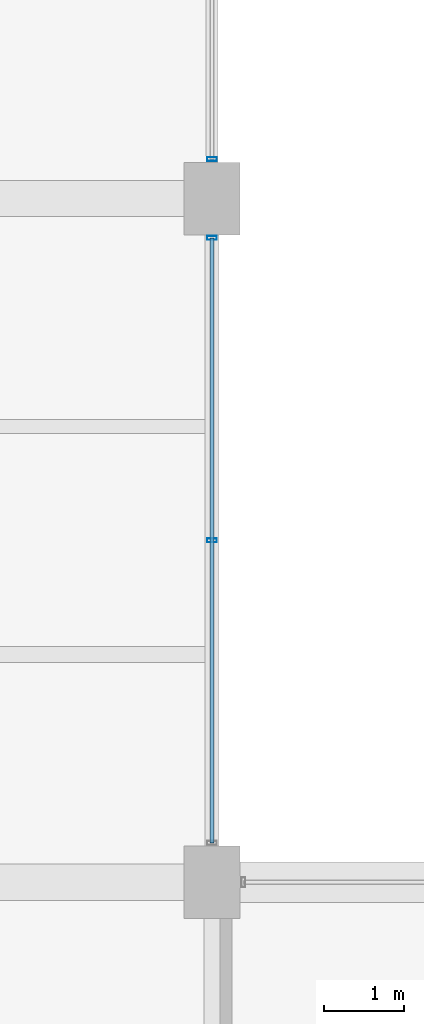
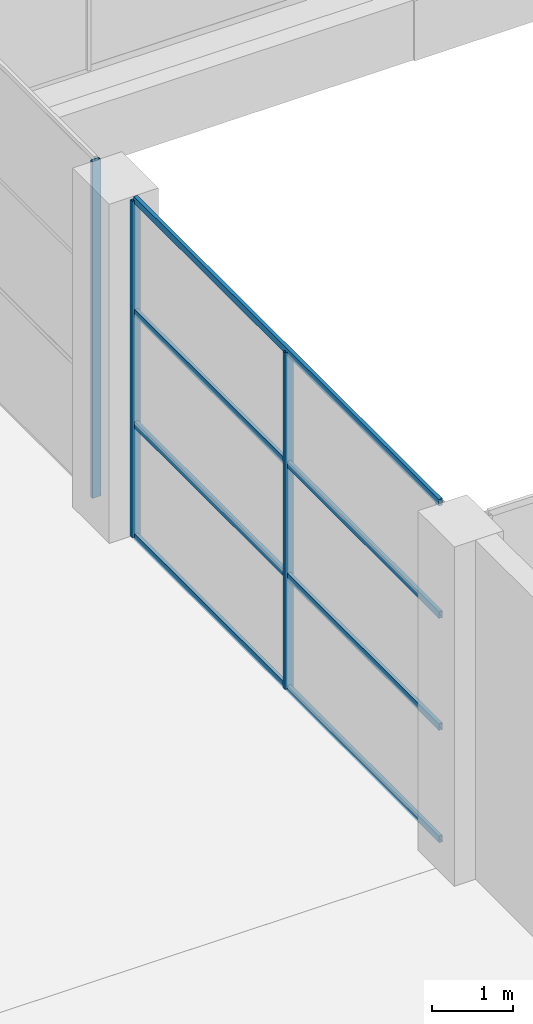
# One storey, part 48 of 90: 7 members, 2 elements without a shape of their own.
"""IFC4 building model written with IfcOpenShell, lengths in metres."""

from ifc_helpers import new_model, si_unit, direction, frame, origin, origin_2d, place, context, subcontext, project, spatial, hollow_rectangle, extrude, material, material_profile, profile_set, type_object, element, aggregate, save


model = new_model("IFC4")

# Units and contexts
model_context = context("Model", 3, precision=1e-05, world=origin(), true_north=direction((0.0, 1.0)))
body_context = subcontext(model_context, "Body", "Model", "MODEL_VIEW")
ifc_project = project(units=[si_unit("LENGTHUNIT", "METRE"), si_unit("AREAUNIT", "SQUARE_METRE"), si_unit("VOLUMEUNIT", "CUBIC_METRE"), si_unit("PLANEANGLEUNIT", "RADIAN"), si_unit("MASSUNIT", "GRAM", prefix="KILO")], contexts=[model_context])

# Site, building, storey
site_placement = place(None, origin())
site = spatial("IfcSite", under=ifc_project, at=site_placement, CompositionType="ELEMENT")
building_placement = place(site_placement, origin())
building = spatial("IfcBuilding", under=site, at=building_placement, Name="Solvikara Media Centre", CompositionType="ELEMENT")
storey_placement = place(building_placement, origin())
storey = spatial("IfcBuildingStorey", under=building, at=storey_placement, Name="L00", CompositionType="ELEMENT", Elevation=0.0)

# Curtain wall, member
ifc_material = material(Name="Anodised aluminium EN AW-6063", Category="aluminium")
curtain_wall_type = type_object("IfcCurtainWallType", Name="CW-12", PredefinedType="NOTDEFINED", material=ifc_material)
curtain_wall_1_placement = place(storey_placement, origin())
curtain_wall_1 = element("IfcCurtainWall", 1, at=curtain_wall_1_placement, inside=storey, type_object=curtain_wall_type, Name="CW-L00-CRT-4-S1", PredefinedType="NOTDEFINED")
ifc_material_profile_1 = material_profile(ifc_material, hollow_rectangle(XDim=0.050048828125, YDim=0.1201171875, WallThickness=0.0029296875, at=origin_2d()), Name="ALU-M 50x120x3")
ifc_profile_set_1 = profile_set([ifc_material_profile_1], Name="Anodised aluminium EN AW-6063")
member_type_1 = type_object("IfcMemberType", Name="MF-06", PredefinedType="MULLION", material=ifc_profile_set_1)
member_1_placement = place(storey_placement, frame((136.5, 80.989990234375, 0.02001953125), z_axis=(0.0, 0.0, 1.0), x_axis=(0.0, -1.0, 0.0)))
member_1 = element("IfcMember", 2, at=member_1_placement, type_object=member_type_1, Name="CW-L00-CRT-4-S1-M02", PredefinedType="MULLION", context=body_context, shape_type="SweptSolid", body=[
    extrude(hollow_rectangle(XDim=0.050048828125, YDim=0.1201171875, WallThickness=0.0029296875, at=origin_2d()), origin(), (0.0, 0.0, 1.0), 5.06005859375),
])
aggregate(curtain_wall_1, [member_1])

# Curtain wall, members
curtain_wall_2_placement = place(storey_placement, origin())
curtain_wall_2 = element("IfcCurtainWall", 3, at=curtain_wall_2_placement, inside=storey, type_object=curtain_wall_type, Name="CW-L00-CRT-4-S2", PredefinedType="NOTDEFINED")
member_2_placement = place(storey_placement, frame((136.5, 80.010009765625, 0.02001953125), z_axis=(0.0, 0.0, 1.0), x_axis=(0.0, -1.0, 0.0)))
member_2 = element("IfcMember", 4, at=member_2_placement, type_object=member_type_1, Name="CW-L00-CRT-4-S2-M00", PredefinedType="MULLION", context=body_context, shape_type="SweptSolid", body=[
    extrude(hollow_rectangle(XDim=0.050048828125, YDim=0.1201171875, WallThickness=0.0029296875, at=origin_2d()), origin(), (0.0, 0.0, 1.0), 5.06005859375),
])
member_3_placement = place(storey_placement, frame((136.5, 76.25, 0.02001953125), z_axis=(0.0, 0.0, 1.0), x_axis=(0.0, -1.0, 0.0)))
member_3 = element("IfcMember", 5, at=member_3_placement, type_object=member_type_1, Name="CW-L00-CRT-4-S2-M01", PredefinedType="MULLION", context=body_context, shape_type="SweptSolid", body=[
    extrude(hollow_rectangle(XDim=0.050048828125, YDim=0.1201171875, WallThickness=0.0029296875, at=origin_2d()), origin(), (0.0, 0.0, 1.0), 5.06005859375),
])
ifc_material_profile_2 = material_profile(ifc_material, hollow_rectangle(XDim=0.050048828125, YDim=0.10009765625, WallThickness=0.0029296875, at=origin_2d()), Name="ALU-T 50x100x3")
ifc_profile_set_2 = profile_set([ifc_material_profile_2], Name="Anodised aluminium EN AW-6063")
member_type_2 = type_object("IfcMemberType", Name="MF-12", PredefinedType="USERDEFINED", material=ifc_profile_set_2)
member_4_placement = place(storey_placement, frame((136.5, 80.010009765625, 0.02001953125), z_axis=(0.0, -1.0, 0.0), x_axis=(1.0, 0.0, 0.0)))
member_4 = element("IfcMember", 6, at=member_4_placement, type_object=member_type_2, Name="CW-L00-CRT-4-S2-T00", ObjectType="TRANSOM", PredefinedType="USERDEFINED", context=body_context, shape_type="SweptSolid", body=[
    extrude(hollow_rectangle(XDim=0.050048828125, YDim=0.10009765625, WallThickness=0.0029296875, at=origin_2d()), origin(), (0.0, 0.0, 1.0), 7.52001953125),
])
member_5_placement = place(storey_placement, frame((136.5, 80.010009765625, 1.70703125), z_axis=(0.0, -1.0, 0.0), x_axis=(1.0, 0.0, 0.0)))
member_5 = element("IfcMember", 7, at=member_5_placement, type_object=member_type_2, Name="CW-L00-CRT-4-S2-T01", ObjectType="TRANSOM", PredefinedType="USERDEFINED", context=body_context, shape_type="SweptSolid", body=[
    extrude(hollow_rectangle(XDim=0.050048828125, YDim=0.10009765625, WallThickness=0.0029296875, at=origin_2d()), origin(), (0.0, 0.0, 1.0), 7.52001953125),
])
member_6_placement = place(storey_placement, frame((136.5, 80.010009765625, 3.39306640625), z_axis=(0.0, -1.0, 0.0), x_axis=(1.0, 0.0, 0.0)))
member_6 = element("IfcMember", 8, at=member_6_placement, type_object=member_type_2, Name="CW-L00-CRT-4-S2-T02", ObjectType="TRANSOM", PredefinedType="USERDEFINED", context=body_context, shape_type="SweptSolid", body=[
    extrude(hollow_rectangle(XDim=0.050048828125, YDim=0.10009765625, WallThickness=0.0029296875, at=origin_2d()), origin(), (0.0, 0.0, 1.0), 7.52001953125),
])
member_7_placement = place(storey_placement, frame((136.5, 80.010009765625, 5.080078125), z_axis=(0.0, -1.0, 0.0), x_axis=(1.0, 0.0, 0.0)))
member_7 = element("IfcMember", 9, at=member_7_placement, type_object=member_type_2, Name="CW-L00-CRT-4-S2-T03", ObjectType="TRANSOM", PredefinedType="USERDEFINED", context=body_context, shape_type="SweptSolid", body=[
    extrude(hollow_rectangle(XDim=0.050048828125, YDim=0.10009765625, WallThickness=0.0029296875, at=origin_2d()), origin(), (0.0, 0.0, 1.0), 7.52001953125),
])
aggregate(curtain_wall_2, [member_2, member_3, member_4, member_5, member_6, member_7])

save(model, "model.ifc")
